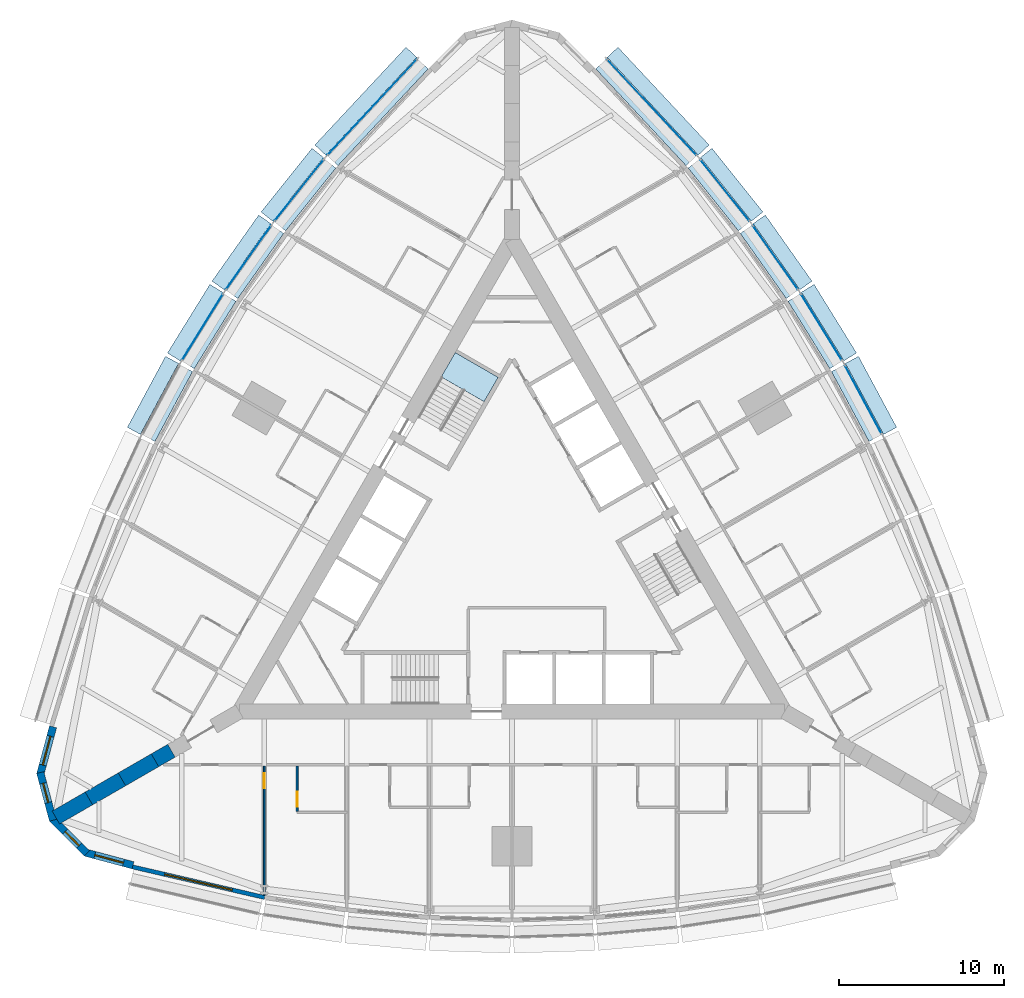
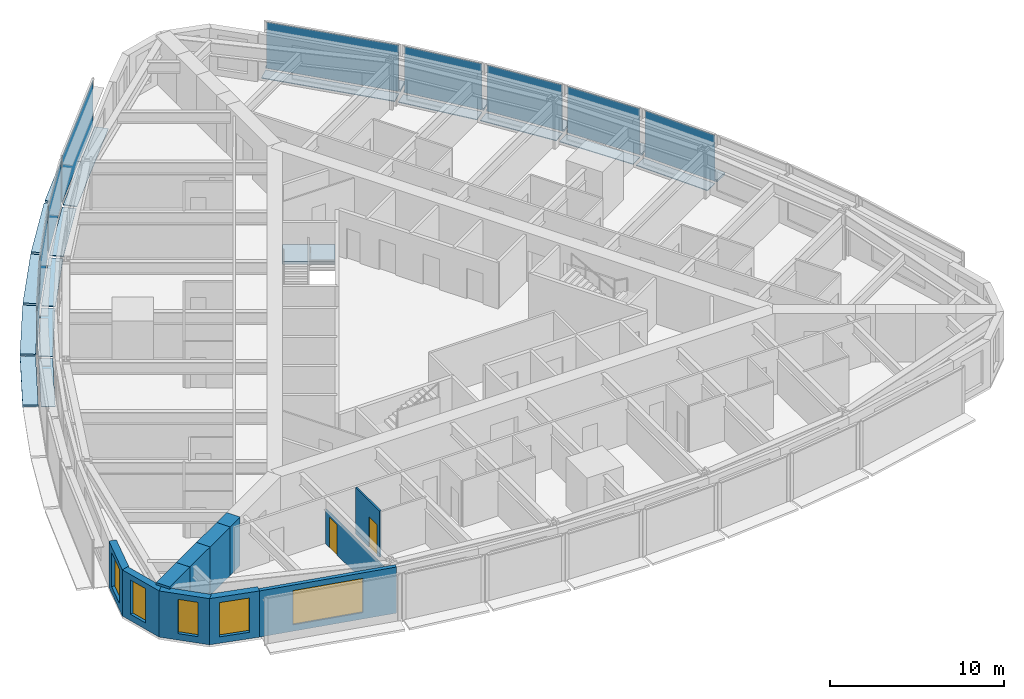
# One storey, part 7 of 14: 29 plates, 11 walls, 5 windows, 2 doors, 1 slab, 7 openings, 10 elements without a shape of their own.
"""IFC4 building model written with IfcOpenShell, lengths in metres."""

from ifc_helpers import new_model, si_unit, direction, frame, frame_2d, origin, origin_2d, place, context, subcontext, project, spatial, polyline, rectangle, outline, extrude, material, layer, layer_set, type_object, element, fill, aggregate, save


model = new_model("IFC4")

# Units and contexts
model_context = context("Model", 3, precision=1e-05, world=origin(), true_north=direction((0.0, 1.0)))
body_context = subcontext(model_context, "Body", "Model", "MODEL_VIEW")
ifc_project = project(units=[si_unit("LENGTHUNIT", "METRE"), si_unit("AREAUNIT", "SQUARE_METRE"), si_unit("VOLUMEUNIT", "CUBIC_METRE"), si_unit("PLANEANGLEUNIT", "RADIAN"), si_unit("MASSUNIT", "GRAM", prefix="KILO")], contexts=[model_context])

# Site, building, storey
site_placement = place(None, origin())
site = spatial("IfcSite", under=ifc_project, at=site_placement, CompositionType="ELEMENT")
building_placement = place(site_placement, origin())
building = spatial("IfcBuilding", under=site, at=building_placement, Name="Trikona Tower", CompositionType="ELEMENT")
storey_placement = place(building_placement, frame((0.0, 0.0, 28.5)))
storey = spatial("IfcBuildingStorey", under=building, at=storey_placement, Name="L05", CompositionType="ELEMENT", Elevation=28.5)

# Plates
ifc_material_1 = material(Name="Aluminium bar grating", Category="aluminium")
ifc_layer_1 = layer(ifc_material_1, 0.050048828125)
ifc_layer_set_1 = layer_set([ifc_layer_1], Name="Cavity catwalk grating")
plate_type_1 = type_object("IfcPlateType", Name="Cavity catwalk grating", PredefinedType="USERDEFINED", material=ifc_layer_set_1)
for number, where, z_axis, x_axis, name in (
    (1, (20.833740234375, 9.127197265625, -0.0498046875), (0.0, 0.0, 1.0), (-0.473422672721, 0.880835383572, 0.0), "Cavity catwalk L05-15"),
    (2, (18.3212890625, 13.47900390625, -0.0498046875), (0.0, 0.0, 1.0), (-0.526118935114, 0.85041099835, 0.0), "Cavity catwalk L05-16"),
):
    element("IfcPlate", number, at=place(storey_placement, frame(where, z_axis=z_axis, x_axis=x_axis)), inside=storey, type_object=plate_type_1, Name=name, ObjectType="CATWALK GRATING", PredefinedType="USERDEFINED", context=body_context, shape_type="SweptSolid", body=[
        extrude(rectangle(XDim=4.80224609375, YDim=0.820068359375, at=origin_2d()), origin(), (0.0, 0.0, 1.0), 0.050048828125),
    ])
plate_1_placement = place(storey_placement, frame((15.544189453125, 17.677734375, -0.0498046875), z_axis=(0.0, 0.0, 1.0), x_axis=(-0.576661909499, 0.816982889743, 0.0)))
element("IfcPlate", 3, at=plate_1_placement, inside=storey, type_object=plate_type_1, Name="Cavity catwalk L05-17", ObjectType="CATWALK GRATING", PredefinedType="USERDEFINED", context=body_context, shape_type="SweptSolid", body=[
    extrude(rectangle(XDim=4.82080078125, YDim=0.820068359375, at=origin_2d()), origin(), (0.0, 0.0, 1.0), 0.050048828125),
])
plate_2_placement = place(storey_placement, frame((12.502197265625, 21.72314453125, -0.0498046875), z_axis=(0.0, 0.0, 1.0), x_axis=(-0.624603618277, 0.780941944087, 0.0)))
element("IfcPlate", 4, at=plate_2_placement, inside=storey, type_object=plate_type_1, Name="Cavity catwalk L05-18", ObjectType="CATWALK GRATING", PredefinedType="USERDEFINED", context=body_context, shape_type="SweptSolid", body=[
    extrude(rectangle(XDim=4.857666015625, YDim=0.820068359375, at=origin_2d()), origin(), (0.0, 0.0, 1.0), 0.050048828125),
])
for number, where, z_axis, x_axis, name in (
    (5, (8.10107421875, 26.72314453125, -0.0498046875), (0.0, 0.0, 1.0), (-0.682298269147, 0.731073916864, 0.0), "Cavity catwalk L05-19"),
    (6, (-8.10107421875, 26.72314453125, -0.0498046875), (0.0, 0.0, 1.0), (-0.682298269147, -0.731073916864, 0.0), "Cavity catwalk L05-24"),
):
    element("IfcPlate", number, at=place(storey_placement, frame(where, z_axis=z_axis, x_axis=x_axis)), inside=storey, type_object=plate_type_1, Name=name, ObjectType="CATWALK GRATING", PredefinedType="USERDEFINED", context=body_context, shape_type="SweptSolid", body=[
        extrude(rectangle(XDim=8.01123046875, YDim=0.820068359375, at=origin_2d()), origin(), (0.0, 0.0, 1.0), 0.050048828125),
    ])
plate_3_placement = place(storey_placement, frame((-12.502197265625, 21.72314453125, -0.0498046875), z_axis=(0.0, 0.0, 1.0), x_axis=(-0.624603618277, -0.780941944087, 0.0)))
element("IfcPlate", 7, at=plate_3_placement, inside=storey, type_object=plate_type_1, Name="Cavity catwalk L05-25", ObjectType="CATWALK GRATING", PredefinedType="USERDEFINED", context=body_context, shape_type="SweptSolid", body=[
    extrude(rectangle(XDim=4.857666015625, YDim=0.820068359375, at=origin_2d()), origin(), (0.0, 0.0, 1.0), 0.050048828125),
])
plate_4_placement = place(storey_placement, frame((-15.544189453125, 17.677734375, -0.0498046875), z_axis=(0.0, 0.0, 1.0), x_axis=(-0.576661909499, -0.816982889743, 0.0)))
element("IfcPlate", 8, at=plate_4_placement, inside=storey, type_object=plate_type_1, Name="Cavity catwalk L05-26", ObjectType="CATWALK GRATING", PredefinedType="USERDEFINED", context=body_context, shape_type="SweptSolid", body=[
    extrude(rectangle(XDim=4.82080078125, YDim=0.820068359375, at=origin_2d()), origin(), (0.0, 0.0, 1.0), 0.050048828125),
])
for number, where, z_axis, x_axis, name in (
    (9, (-18.3212890625, 13.47900390625, -0.0498046875), (0.0, 0.0, 1.0), (-0.526118935114, -0.85041099835, 0.0), "Cavity catwalk L05-27"),
    (10, (-20.833740234375, 9.127197265625, -0.0498046875), (0.0, 0.0, 1.0), (-0.473422672721, -0.880835383572, 0.0), "Cavity catwalk L05-28"),
):
    element("IfcPlate", number, at=place(storey_placement, frame(where, z_axis=z_axis, x_axis=x_axis)), inside=storey, type_object=plate_type_1, Name=name, ObjectType="CATWALK GRATING", PredefinedType="USERDEFINED", context=body_context, shape_type="SweptSolid", body=[
        extrude(rectangle(XDim=4.80224609375, YDim=0.820068359375, at=origin_2d()), origin(), (0.0, 0.0, 1.0), 0.050048828125),
    ])

# Curtain wall, plate
ifc_material_2 = material(Name="Aluminium curtain wall system", Category="aluminium")
curtain_wall_type = type_object("IfcCurtainWallType", Name="Curtain wall DS1", PredefinedType="NOTDEFINED", material=ifc_material_2)
curtain_wall_1_placement = place(storey_placement, origin())
curtain_wall_1 = element("IfcCurtainWall", 11, at=curtain_wall_1_placement, inside=storey, type_object=curtain_wall_type, Name="Curtain wall DS1 L05", PredefinedType="NOTDEFINED")
ifc_material_3 = material(Name="Laminated clear glass", Category="glass")
ifc_layer_2 = layer(ifc_material_3, 0.028076171875)
ifc_layer_set_2 = layer_set([ifc_layer_2], Name="Glass panel DS1")
plate_type_2 = type_object("IfcPlateType", Name="Glass panel DS1", PredefinedType="CURTAIN_PANEL", material=ifc_layer_set_2)
plate_5_placement = place(storey_placement, frame((21.265380859375, 9.359130859375, 0.080078125), z_axis=(0.0, 0.0, 1.0), x_axis=(-0.473408350896, 0.880843080975, 0.0)))
plate_5 = element("IfcPlate", 12, at=plate_5_placement, type_object=plate_type_2, Name="CW-DS1 panel 1.1", PredefinedType="CURTAIN_PANEL", context=body_context, shape_type="SweptSolid", body=[
    extrude(rectangle(XDim=4.72216796875, YDim=0.028076171875, at=origin_2d()), origin(), (0.0, 0.0, 1.0), 3.239990234375),
])
aggregate(curtain_wall_1, [plate_5])

curtain_wall_2_placement = place(storey_placement, origin())
curtain_wall_2 = element("IfcCurtainWall", 13, at=curtain_wall_2_placement, inside=storey, type_object=curtain_wall_type, Name="Curtain wall DS1 L05", PredefinedType="NOTDEFINED")
plate_6_placement = place(storey_placement, frame((18.738037109375, 13.73681640625, 0.080078125), z_axis=(0.0, 0.0, 1.0), x_axis=(-0.526119790842, 0.850410468941, 0.0)))
plate_6 = element("IfcPlate", 14, at=plate_6_placement, type_object=plate_type_2, Name="CW-DS1 panel 1.1", PredefinedType="CURTAIN_PANEL", context=body_context, shape_type="SweptSolid", body=[
    extrude(rectangle(XDim=4.722412109375, YDim=0.028076171875, at=origin_2d()), origin(), (0.0, 0.0, 1.0), 3.239990234375),
])
aggregate(curtain_wall_2, [plate_6])

curtain_wall_3_placement = place(storey_placement, origin())
curtain_wall_3 = element("IfcCurtainWall", 15, at=curtain_wall_3_placement, inside=storey, type_object=curtain_wall_type, Name="Curtain wall DS1 L05", PredefinedType="NOTDEFINED")
plate_7_placement = place(storey_placement, frame((15.9443359375, 17.960205078125, 0.080078125), z_axis=(0.0, 0.0, 1.0), x_axis=(-0.576658362928, 0.816985393055, 0.0)))
plate_7 = element("IfcPlate", 16, at=plate_7_placement, type_object=plate_type_2, Name="CW-DS1 panel 1.1", PredefinedType="CURTAIN_PANEL", context=body_context, shape_type="SweptSolid", body=[
    extrude(rectangle(XDim=4.74072265625, YDim=0.028076171875, at=origin_2d()), origin(), (0.0, 0.0, 1.0), 3.239990234375),
])
aggregate(curtain_wall_3, [plate_7])

curtain_wall_4_placement = place(storey_placement, origin())
curtain_wall_4 = element("IfcCurtainWall", 17, at=curtain_wall_4_placement, inside=storey, type_object=curtain_wall_type, Name="Curtain wall DS1 L05", PredefinedType="NOTDEFINED")
plate_8_placement = place(storey_placement, frame((12.884765625, 22.029296875, 0.080078125), z_axis=(0.0, 0.0, 1.0), x_axis=(-0.624608599951, 0.780937959679, 0.0)))
plate_8 = element("IfcPlate", 18, at=plate_8_placement, type_object=plate_type_2, Name="CW-DS1 panel 1.1", PredefinedType="CURTAIN_PANEL", context=body_context, shape_type="SweptSolid", body=[
    extrude(rectangle(XDim=4.777587890625, YDim=0.028076171875, at=origin_2d()), origin(), (0.0, 0.0, 1.0), 3.239990234375),
])
aggregate(curtain_wall_4, [plate_8])

curtain_wall_5_placement = place(storey_placement, origin())
curtain_wall_5 = element("IfcCurtainWall", 19, at=curtain_wall_5_placement, inside=storey, type_object=curtain_wall_type, Name="Curtain wall DS1 L05", PredefinedType="NOTDEFINED")
plate_9_placement = place(storey_placement, frame((8.459228515625, 27.057373046875, 0.080078125), z_axis=(0.0, 0.0, 1.0), x_axis=(-0.682295351967, 0.731076639405, 0.0)))
plate_9 = element("IfcPlate", 20, at=plate_9_placement, type_object=plate_type_2, Name="CW-DS1 panel 1.1", PredefinedType="CURTAIN_PANEL", context=body_context, shape_type="SweptSolid", body=[
    extrude(rectangle(XDim=7.93115234375, YDim=0.028076171875, at=origin_2d()), origin(), (0.0, 0.0, 1.0), 3.239990234375),
])
aggregate(curtain_wall_5, [plate_9])

curtain_wall_6_placement = place(storey_placement, origin())
curtain_wall_6 = element("IfcCurtainWall", 21, at=curtain_wall_6_placement, inside=storey, type_object=curtain_wall_type, Name="Curtain wall DS1 L05", PredefinedType="NOTDEFINED")
plate_10_placement = place(storey_placement, frame((-8.459228515625, 27.057373046875, 0.080078125), z_axis=(0.0, 0.0, 1.0), x_axis=(-0.682295351967, -0.731076639405, 0.0)))
plate_10 = element("IfcPlate", 22, at=plate_10_placement, type_object=plate_type_2, Name="CW-DS1 panel 1.1", PredefinedType="CURTAIN_PANEL", context=body_context, shape_type="SweptSolid", body=[
    extrude(rectangle(XDim=7.93115234375, YDim=0.028076171875, at=origin_2d()), origin(), (0.0, 0.0, 1.0), 3.239990234375),
])
aggregate(curtain_wall_6, [plate_10])

curtain_wall_7_placement = place(storey_placement, origin())
curtain_wall_7 = element("IfcCurtainWall", 23, at=curtain_wall_7_placement, inside=storey, type_object=curtain_wall_type, Name="Curtain wall DS1 L05", PredefinedType="NOTDEFINED")
plate_11_placement = place(storey_placement, frame((-12.884765625, 22.029296875, 0.080078125), z_axis=(0.0, 0.0, 1.0), x_axis=(-0.624608599951, -0.780937959679, 0.0)))
plate_11 = element("IfcPlate", 24, at=plate_11_placement, type_object=plate_type_2, Name="CW-DS1 panel 1.1", PredefinedType="CURTAIN_PANEL", context=body_context, shape_type="SweptSolid", body=[
    extrude(rectangle(XDim=4.777587890625, YDim=0.028076171875, at=origin_2d()), origin(), (0.0, 0.0, 1.0), 3.239990234375),
])
aggregate(curtain_wall_7, [plate_11])

curtain_wall_8_placement = place(storey_placement, origin())
curtain_wall_8 = element("IfcCurtainWall", 25, at=curtain_wall_8_placement, inside=storey, type_object=curtain_wall_type, Name="Curtain wall DS1 L05", PredefinedType="NOTDEFINED")
plate_12_placement = place(storey_placement, frame((-15.9443359375, 17.960205078125, 0.080078125), z_axis=(0.0, 0.0, 1.0), x_axis=(-0.576658362928, -0.816985393055, 0.0)))
plate_12 = element("IfcPlate", 26, at=plate_12_placement, type_object=plate_type_2, Name="CW-DS1 panel 1.1", PredefinedType="CURTAIN_PANEL", context=body_context, shape_type="SweptSolid", body=[
    extrude(rectangle(XDim=4.74072265625, YDim=0.028076171875, at=origin_2d()), origin(), (0.0, 0.0, 1.0), 3.239990234375),
])
aggregate(curtain_wall_8, [plate_12])

curtain_wall_9_placement = place(storey_placement, origin())
curtain_wall_9 = element("IfcCurtainWall", 27, at=curtain_wall_9_placement, inside=storey, type_object=curtain_wall_type, Name="Curtain wall DS1 L05", PredefinedType="NOTDEFINED")
plate_13_placement = place(storey_placement, frame((-18.738037109375, 13.73681640625, 0.080078125), z_axis=(0.0, 0.0, 1.0), x_axis=(-0.526119790842, -0.850410468941, 0.0)))
plate_13 = element("IfcPlate", 28, at=plate_13_placement, type_object=plate_type_2, Name="CW-DS1 panel 1.1", PredefinedType="CURTAIN_PANEL", context=body_context, shape_type="SweptSolid", body=[
    extrude(rectangle(XDim=4.722412109375, YDim=0.028076171875, at=origin_2d()), origin(), (0.0, 0.0, 1.0), 3.239990234375),
])
aggregate(curtain_wall_9, [plate_13])

# Plates
ifc_material_4 = material(Name="Aluminium plate fin, pale anodised, on stainless steel outriggers", Category="steel")
ifc_layer_3 = layer(ifc_material_4, 0.14990234375)
ifc_layer_set_3 = layer_set([ifc_layer_3], Name="Outer skin fin 900")
plate_type_3 = type_object("IfcPlateType", Name="Outer skin fin 900", PredefinedType="USERDEFINED", material=ifc_layer_set_3)
for number, where, z_axis, x_axis, name in (
    (29, (21.732421875, 9.610107421875, 0.0), (0.0, 0.0, 1.0), (-0.473422672721, 0.880835383572, 0.0), "Outer skin fin L05-15"),
    (30, (19.188720703125, 14.015625, 0.0), (0.0, 0.0, 1.0), (-0.526118935114, 0.85041099835, 0.0), "Outer skin fin L05-16"),
):
    element("IfcPlate", number, at=place(storey_placement, frame(where, z_axis=z_axis, x_axis=x_axis)), inside=storey, type_object=plate_type_3, Name=name, ObjectType="FIN", PredefinedType="USERDEFINED", context=body_context, shape_type="SweptSolid", body=[
        extrude(rectangle(XDim=4.88232421875, YDim=0.89990234375, at=origin_2d()), origin(), (0.0, 0.0, 1.0), 0.14990234375),
    ])
plate_14_placement = place(storey_placement, frame((16.37744140625, 18.265869140625, 0.0), z_axis=(0.0, 0.0, 1.0), x_axis=(-0.576661909499, 0.816982889743, 0.0)))
element("IfcPlate", 31, at=plate_14_placement, inside=storey, type_object=plate_type_3, Name="Outer skin fin L05-17", ObjectType="FIN", PredefinedType="USERDEFINED", context=body_context, shape_type="SweptSolid", body=[
    extrude(rectangle(XDim=4.90087890625, YDim=0.89990234375, at=origin_2d()), origin(), (0.0, 0.0, 1.0), 0.14990234375),
])
plate_15_placement = place(storey_placement, frame((13.298583984375, 22.360107421875, 0.0), z_axis=(0.0, 0.0, 1.0), x_axis=(-0.624603618277, 0.780941944087, 0.0)))
element("IfcPlate", 32, at=plate_15_placement, inside=storey, type_object=plate_type_3, Name="Outer skin fin L05-18", ObjectType="FIN", PredefinedType="USERDEFINED", context=body_context, shape_type="SweptSolid", body=[
    extrude(rectangle(XDim=4.9375, YDim=0.89990234375, at=origin_2d()), origin(), (0.0, 0.0, 1.0), 0.14990234375),
])
for number, where, z_axis, x_axis, name in (
    (33, (8.8466796875, 27.419189453125, 0.0), (0.0, 0.0, 1.0), (-0.682298269147, 0.731073916864, 0.0), "Outer skin fin L05-19"),
    (34, (-8.8466796875, 27.419189453125, 0.0), (0.0, 0.0, 1.0), (-0.682298269147, -0.731073916864, 0.0), "Outer skin fin L05-24"),
):
    element("IfcPlate", number, at=place(storey_placement, frame(where, z_axis=z_axis, x_axis=x_axis)), inside=storey, type_object=plate_type_3, Name=name, ObjectType="FIN", PredefinedType="USERDEFINED", context=body_context, shape_type="SweptSolid", body=[
        extrude(rectangle(XDim=8.09130859375, YDim=0.89990234375, at=origin_2d()), origin(), (0.0, 0.0, 1.0), 0.14990234375),
    ])
plate_16_placement = place(storey_placement, frame((-13.298583984375, 22.360107421875, 0.0), z_axis=(0.0, 0.0, 1.0), x_axis=(-0.624603618277, -0.780941944087, 0.0)))
element("IfcPlate", 35, at=plate_16_placement, inside=storey, type_object=plate_type_3, Name="Outer skin fin L05-25", ObjectType="FIN", PredefinedType="USERDEFINED", context=body_context, shape_type="SweptSolid", body=[
    extrude(rectangle(XDim=4.9375, YDim=0.89990234375, at=origin_2d()), origin(), (0.0, 0.0, 1.0), 0.14990234375),
])
plate_17_placement = place(storey_placement, frame((-16.37744140625, 18.265869140625, 0.0), z_axis=(0.0, 0.0, 1.0), x_axis=(-0.576661909499, -0.816982889743, 0.0)))
element("IfcPlate", 36, at=plate_17_placement, inside=storey, type_object=plate_type_3, Name="Outer skin fin L05-26", ObjectType="FIN", PredefinedType="USERDEFINED", context=body_context, shape_type="SweptSolid", body=[
    extrude(rectangle(XDim=4.90087890625, YDim=0.89990234375, at=origin_2d()), origin(), (0.0, 0.0, 1.0), 0.14990234375),
])
for number, where, z_axis, x_axis, name in (
    (37, (-19.188720703125, 14.015625, 0.0), (0.0, 0.0, 1.0), (-0.526118935114, -0.85041099835, 0.0), "Outer skin fin L05-27"),
    (38, (-21.732421875, 9.610107421875, 0.0), (0.0, 0.0, 1.0), (-0.473422672721, -0.880835383572, 0.0), "Outer skin fin L05-28"),
):
    element("IfcPlate", number, at=place(storey_placement, frame(where, z_axis=z_axis, x_axis=x_axis)), inside=storey, type_object=plate_type_3, Name=name, ObjectType="FIN", PredefinedType="USERDEFINED", context=body_context, shape_type="SweptSolid", body=[
        extrude(rectangle(XDim=4.88232421875, YDim=0.89990234375, at=origin_2d()), origin(), (0.0, 0.0, 1.0), 0.14990234375),
    ])

# Stair, slab
ifc_material_5 = material(Name="Concrete f'c 5000 psi", Category="concrete")
stair_type = type_object("IfcStairType", Name="Core stair", PredefinedType="HALF_TURN_STAIR", material=ifc_material_5)
stair_placement = place(storey_placement, origin())
stair = element("IfcStair", 39, at=stair_placement, inside=storey, type_object=stair_type, Name="Stair C L05", PredefinedType="HALF_TURN_STAIR")
ifc_material_6 = material(Name="Concrete f'c 5000 psi", Category="concrete")
ifc_layer_4 = layer(ifc_material_6, 0.199951171875)
ifc_layer_set_4 = layer_set([ifc_layer_4], Name="Stair landing 200")
slab_type = type_object("IfcSlabType", Name="Stair landing 200", PredefinedType="LANDING", material=ifc_layer_set_4)
slab_placement = place(storey_placement, frame((0.0, 0.0, 1.5)))
slab = element("IfcSlab", 40, at=slab_placement, type_object=slab_type, Name="ST-C landing 2", PredefinedType="LANDING", context=body_context, shape_type="SweptSolid", body=[
    extrude(outline(polyline([(-0.837158203125, 10.702392578125), (-1.688720703125, 9.2275390625), (-4.286865234375, 10.7275390625), (-3.435302734375, 12.202392578125), (-0.837158203125, 10.702392578125)])), origin(), (0.0, 0.0, 1.0), 0.199951171875),
])
aggregate(stair, [slab])

# Wall, opening, door
ifc_material_7 = material(Name="Metal stud and cement board", Category="gypsum")
ifc_layer_5 = layer(ifc_material_7, 0.1201171875)
ifc_layer_set_5 = layer_set([ifc_layer_5], Name="Bathroom wall 120")
wall_type_1 = type_object("IfcWallType", Name="Bathroom wall 120", PredefinedType="PLUMBINGWALL", material=ifc_layer_set_5)
wall_1_placement = place(storey_placement, frame((-13.0, -12.826416015625, 0.0), z_axis=(0.0, 0.0, 1.0), x_axis=(0.0, -1.0, 0.0)))
wall_1 = element("IfcWall", 41, at=wall_1_placement, inside=storey, type_object=wall_type_1, Name="Bathroom wall 0501.1", PredefinedType="PLUMBINGWALL", context=body_context, shape_type="SweptSolid", body=[
    extrude(rectangle(XDim=2.739990234375, YDim=0.1201171875, at=frame_2d((1.3701171875, 0.0))), origin(), (0.0, 0.0, 1.0), 3.235107421875),
])
opening_1_placement = place(wall_1_placement, frame((1.550048828125, 0.0, 0.0)))
opening_1 = element("IfcOpeningElement", 42, at=opening_1_placement, cuts=wall_1, Name="Opening D2", PredefinedType="OPENING", context=body_context, shape_type="SweptSolid", body=[
    extrude(rectangle(XDim=0.89990234375, YDim=2.1298828125, at=frame_2d((0.449951171875, 1.06494140625))), frame((0.0, 0.070068359375, 0.0), z_axis=(0.0, -1.0, 0.0), x_axis=(1.0, 0.0, 0.0)), (0.0, 0.0, 1.0), 0.14013671875),
])
ifc_material_8 = material(Name="Steel door frame with solid-core timber leaf", Category="steel")
door_type_1 = type_object("IfcDoorType", Name="Bathroom door 900x2130", OperationType="SLIDING_TO_LEFT", PredefinedType="DOOR", material=ifc_material_8)
door_1_placement = place(opening_1_placement, origin())
door_1 = element("IfcDoor", 43, at=door_1_placement, inside=storey, type_object=door_type_1, Name="Bathroom door 0501.1", OperationType="SLIDING_TO_LEFT", OverallHeight=2.1298828125, OverallWidth=0.89990234375, PredefinedType="DOOR", context=body_context, shape_type="SweptSolid", body=[
    extrude(rectangle(XDim=0.89990234375, YDim=2.1298828125, at=frame_2d((0.449951171875, 1.06494140625))), frame((0.0, 0.02490234375, 0.0), z_axis=(0.0, -1.0, 0.0), x_axis=(1.0, 0.0, 0.0)), (0.0, 0.0, 1.0), 0.050048828125),
])
fill(opening_1, door_1)

# Wall, opening, window
ifc_material_9 = material(Name="Brick-faced precast concrete", Category="masonry")
ifc_layer_6 = layer(ifc_material_9, 0.449951171875)
ifc_layer_set_6 = layer_set([ifc_layer_6], Name="Brick-faced corner wall 450")
wall_type_2 = type_object("IfcWallType", Name="Brick-faced corner wall 450", PredefinedType="SOLIDWALL", material=ifc_layer_set_6)
wall_2_placement = place(storey_placement, frame((-27.78271484375, -10.450439453125, 0.0), z_axis=(0.0, 0.0, 1.0), x_axis=(-0.258780998834, -0.965936019953, 0.0)))
wall_2 = element("IfcWall", 44, at=wall_2_placement, inside=storey, type_object=wall_type_2, Name="External wall L05-32", PredefinedType="SOLIDWALL", context=body_context, shape_type="SweptSolid", body=[
    extrude(rectangle(XDim=2.98876953125, YDim=0.449951171875, at=frame_2d((1.494384765625, 0.0))), origin(), (0.0, 0.0, 1.0), 3.235107421875),
])
opening_2_placement = place(wall_2_placement, frame((0.59423828125, 0.0, 0.449951171875)))
opening_2 = element("IfcOpeningElement", 45, at=opening_2_placement, cuts=wall_2, Name="Opening W1824", PredefinedType="OPENING", context=body_context, shape_type="SweptSolid", body=[
    extrude(rectangle(XDim=1.800048828125, YDim=2.39990234375, at=frame_2d((0.89990234375, 1.199951171875))), frame((0.0, 0.23486328125, 0.0), z_axis=(0.0, -1.0, 0.0), x_axis=(1.0, 0.0, 0.0)), (0.0, 0.0, 1.0), 0.469970703125),
])
ifc_material_10 = material(Name="Aluminium-framed double glazing", Category="aluminium")
window_type_1 = type_object("IfcWindowType", Name="Window 1800x2400", PartitioningType="SINGLE_PANEL", PredefinedType="WINDOW", material=ifc_material_10)
window_1_placement = place(opening_2_placement, origin())
window_1 = element("IfcWindow", 46, at=window_1_placement, inside=storey, type_object=window_type_1, Name="Window 0518", OverallHeight=2.39990234375, OverallWidth=1.800048828125, PartitioningType="SINGLE_PANEL", PredefinedType="WINDOW", context=body_context, shape_type="SweptSolid", body=[
    extrude(rectangle(XDim=1.800048828125, YDim=2.39990234375, at=frame_2d((0.89990234375, 1.199951171875))), frame((0.0, 0.030029296875, 0.0), z_axis=(0.0, -1.0, 0.0), x_axis=(1.0, 0.0, 0.0)), (0.0, 0.0, 1.0), 0.06005859375),
])
fill(opening_2, window_1)

wall_3_placement = place(storey_placement, frame((-28.55615234375, -13.220947265625, 0.0), z_axis=(0.0, 0.0, 1.0), x_axis=(0.258801419081, -0.965930548995, 0.0)))
wall_3 = element("IfcWall", 47, at=wall_3_placement, inside=storey, type_object=wall_type_2, Name="External wall L05-33", PredefinedType="SOLIDWALL", context=body_context, shape_type="SweptSolid", body=[
    extrude(outline(polyline([(2.988525390625, 0.22509765625), (2.928955078125, 0.22509765625), (2.437255859375, 0.09326171875), (2.402099609375, 0.22509765625), (0.0, 0.22509765625), (0.0, -0.22509765625), (2.988525390625, -0.22509765625), (2.988525390625, 0.22509765625)])), origin(), (0.0, 0.0, 1.0), 3.235107421875),
])
opening_3_placement = place(wall_3_placement, frame((0.676025390625, 0.0, 0.449951171875)))
opening_3 = element("IfcOpeningElement", 48, at=opening_3_placement, cuts=wall_3, Name="Opening W1224", PredefinedType="OPENING", context=body_context, shape_type="SweptSolid", body=[
    extrude(rectangle(XDim=1.199951171875, YDim=2.39990234375, at=frame_2d((0.60009765625, 1.199951171875))), frame((0.0, 0.23486328125, 0.0), z_axis=(0.0, -1.0, 0.0), x_axis=(1.0, 0.0, 0.0)), (0.0, 0.0, 1.0), 0.469970703125),
])
ifc_material_11 = material(Name="Aluminium-framed double glazing", Category="aluminium")
window_type_2 = type_object("IfcWindowType", Name="Window 1200x2400", PartitioningType="SINGLE_PANEL", PredefinedType="WINDOW", material=ifc_material_11)
window_2_placement = place(opening_3_placement, origin())
window_2 = element("IfcWindow", 49, at=window_2_placement, inside=storey, type_object=window_type_2, Name="Window 0518", OverallHeight=2.39990234375, OverallWidth=1.199951171875, PartitioningType="SINGLE_PANEL", PredefinedType="WINDOW", context=body_context, shape_type="SweptSolid", body=[
    extrude(rectangle(XDim=1.199951171875, YDim=2.39990234375, at=frame_2d((0.60009765625, 1.199951171875))), frame((0.0, 0.030029296875, 0.0), z_axis=(0.0, -1.0, 0.0), x_axis=(1.0, 0.0, 0.0)), (0.0, 0.0, 1.0), 0.06005859375),
])
fill(opening_3, window_2)

wall_4_placement = place(storey_placement, frame((-27.8408203125, -16.006591796875, 0.0), z_axis=(0.0, 0.0, 1.0), x_axis=(0.707025086683, -0.707188466253, 0.0)))
wall_4 = element("IfcWall", 50, at=wall_4_placement, inside=storey, type_object=wall_type_2, Name="External wall L05-34", PredefinedType="SOLIDWALL", context=body_context, shape_type="SweptSolid", body=[
    extrude(outline(polyline([(2.988525390625, 0.22509765625), (0.58642578125, 0.22509765625), (0.551025390625, 0.093017578125), (0.058837890625, 0.22509765625), (0.0, 0.22509765625), (0.0, -0.22509765625), (2.988525390625, -0.22509765625), (2.988525390625, 0.22509765625)])), origin(), (0.0, 0.0, 1.0), 3.235107421875),
])
opening_4_placement = place(wall_4_placement, frame((1.112548828125, 0.0, 0.449951171875)))
opening_4 = element("IfcOpeningElement", 51, at=opening_4_placement, cuts=wall_4, Name="Opening W1224", PredefinedType="OPENING", context=body_context, shape_type="SweptSolid", body=[
    extrude(rectangle(XDim=1.199951171875, YDim=2.39990234375, at=frame_2d((0.60009765625, 1.199951171875))), frame((0.0, 0.23486328125, 0.0), z_axis=(0.0, -1.0, 0.0), x_axis=(1.0, 0.0, 0.0)), (0.0, 0.0, 1.0), 0.469970703125),
])
window_3_placement = place(opening_4_placement, origin())
window_3 = element("IfcWindow", 52, at=window_3_placement, inside=storey, type_object=window_type_2, Name="Window 0501", OverallHeight=2.39990234375, OverallWidth=1.199951171875, PartitioningType="SINGLE_PANEL", PredefinedType="WINDOW", context=body_context, shape_type="SweptSolid", body=[
    extrude(rectangle(XDim=1.199951171875, YDim=2.39990234375, at=frame_2d((0.60009765625, 1.199951171875))), frame((0.0, 0.030029296875, 0.0), z_axis=(0.0, -1.0, 0.0), x_axis=(1.0, 0.0, 0.0)), (0.0, 0.0, 1.0), 0.06005859375),
])
fill(opening_4, window_3)

wall_5_placement = place(storey_placement, frame((-25.82861328125, -18.061767578125, 0.0), z_axis=(0.0, 0.0, 1.0), x_axis=(0.965930548995, -0.258801419081, 0.0)))
wall_5 = element("IfcWall", 53, at=wall_5_placement, inside=storey, type_object=wall_type_2, Name="External wall L05-35", PredefinedType="SOLIDWALL", context=body_context, shape_type="SweptSolid", body=[
    extrude(rectangle(XDim=2.988525390625, YDim=0.449951171875, at=frame_2d((1.494140625, 0.0))), origin(), (0.0, 0.0, 1.0), 3.235107421875),
])
opening_5_placement = place(wall_5_placement, frame((0.59423828125, 0.0, 0.449951171875)))
opening_5 = element("IfcOpeningElement", 54, at=opening_5_placement, cuts=wall_5, Name="Opening W1824", PredefinedType="OPENING", context=body_context, shape_type="SweptSolid", body=[
    extrude(rectangle(XDim=1.800048828125, YDim=2.39990234375, at=frame_2d((0.89990234375, 1.199951171875))), frame((0.0, 0.23486328125, 0.0), z_axis=(0.0, -1.0, 0.0), x_axis=(1.0, 0.0, 0.0)), (0.0, 0.0, 1.0), 0.469970703125),
])
window_4_placement = place(opening_5_placement, origin())
window_4 = element("IfcWindow", 55, at=window_4_placement, inside=storey, type_object=window_type_1, Name="Window 0501", OverallHeight=2.39990234375, OverallWidth=1.800048828125, PartitioningType="SINGLE_PANEL", PredefinedType="WINDOW", context=body_context, shape_type="SweptSolid", body=[
    extrude(rectangle(XDim=1.800048828125, YDim=2.39990234375, at=frame_2d((0.89990234375, 1.199951171875))), frame((0.0, 0.030029296875, 0.0), z_axis=(0.0, -1.0, 0.0), x_axis=(1.0, 0.0, 0.0)), (0.0, 0.0, 1.0), 0.06005859375),
])
fill(opening_5, window_4)

# Walls
ifc_material_12 = material(Name="Concrete f'c 10000 psi", Category="concrete")
ifc_layer_7 = layer(ifc_material_12, 0.89990234375)
ifc_layer_set_7 = layer_set([ifc_layer_7], Name="Buttress wall 900")
wall_type_3 = type_object("IfcWallType", Name="Buttress wall 900", PredefinedType="SHEAR", material=ifc_layer_set_7)
wall_6_placement = place(storey_placement, frame((-20.6103515625, -11.8994140625, 0.0), z_axis=(0.0, 0.0, 1.0), x_axis=(-0.866009537788, -0.500027479704, 0.0)))
element("IfcWall", 56, at=wall_6_placement, inside=storey, type_object=wall_type_3, Name="Buttress wall 3 part 2", PredefinedType="SHEAR", context=body_context, shape_type="SweptSolid", body=[
    extrude(rectangle(XDim=1.15478515625, YDim=0.89990234375, at=frame_2d((0.577392578125, 0.0))), origin(), (0.0, 0.0, 1.0), 3.39990234375),
])
for number, where, z_axis, x_axis, name in (
    (57, (-21.6103515625, -12.476806640625, 0.0), (0.0, 0.0, 1.0), (-0.866055313784, -0.499948190782, 0.0), "Buttress wall 3 part 3"),
    (58, (-23.6103515625, -13.63134765625, 0.0), (0.0, 0.0, 1.0), (-0.866009537788, -0.500027479704, 0.0), "Buttress wall 3 part 4"),
    (59, (-25.6103515625, -14.7861328125, 0.0), (0.0, 0.0, 1.0), (-0.866009537788, -0.500027479704, 0.0), "Buttress wall 3 part 5"),
):
    element("IfcWall", number, at=place(storey_placement, frame(where, z_axis=z_axis, x_axis=x_axis)), inside=storey, type_object=wall_type_3, Name=name, PredefinedType="SHEAR", context=body_context, shape_type="SweptSolid", body=[
        extrude(rectangle(XDim=2.309326171875, YDim=0.89990234375, at=frame_2d((1.15478515625, 0.0))), origin(), (0.0, 0.0, 1.0), 3.39990234375),
    ])

# Wall, opening, window
ifc_material_13 = material(Name="Insulated precast concrete spandrel panel", Category="concrete")
ifc_layer_8 = layer(ifc_material_13, 0.25)
ifc_layer_set_8 = layer_set([ifc_layer_8], Name="Inner skin wall 250")
wall_type_4 = type_object("IfcWallType", Name="Inner skin wall 250", PredefinedType="STANDARD", material=ifc_layer_set_8)
wall_7_placement = place(storey_placement, frame((-22.9716796875, -18.930908203125, 0.0), z_axis=(0.0, 0.0, 1.0), x_axis=(0.974279327392, -0.225343720163, 0.0)))
wall_7 = element("IfcWall", 60, at=wall_7_placement, inside=storey, type_object=wall_type_4, Name="External wall L05-00", PredefinedType="STANDARD", context=body_context, shape_type="SweptSolid", body=[
    extrude(rectangle(XDim=8.211181640625, YDim=0.25, at=frame_2d((4.10546875, 0.0))), origin(), (0.0, 0.0, 1.0), 3.235107421875),
])
opening_6_placement = place(wall_7_placement, frame((2.005615234375, 0.0, 0.449951171875)))
opening_6 = element("IfcOpeningElement", 61, at=opening_6_placement, cuts=wall_7, Name="Opening W4224", PredefinedType="OPENING", context=body_context, shape_type="SweptSolid", body=[
    extrude(rectangle(XDim=4.199951171875, YDim=2.39990234375, at=frame_2d((2.10009765625, 1.199951171875))), frame((0.0, 0.135009765625, 0.0), z_axis=(0.0, -1.0, 0.0), x_axis=(1.0, 0.0, 0.0)), (0.0, 0.0, 1.0), 0.27001953125),
])
ifc_material_14 = material(Name="Aluminium-framed double glazing", Category="aluminium")
window_type_3 = type_object("IfcWindowType", Name="Window 4200x2400", PartitioningType="SINGLE_PANEL", PredefinedType="WINDOW", material=ifc_material_14)
window_5_placement = place(opening_6_placement, origin())
window_5 = element("IfcWindow", 62, at=window_5_placement, inside=storey, type_object=window_type_3, Name="Window 0501", OverallHeight=2.39990234375, OverallWidth=4.199951171875, PartitioningType="SINGLE_PANEL", PredefinedType="WINDOW", context=body_context, shape_type="SweptSolid", body=[
    extrude(rectangle(XDim=4.199951171875, YDim=2.39990234375, at=frame_2d((2.10009765625, 1.199951171875))), frame((0.0, 0.030029296875, 0.0), z_axis=(0.0, -1.0, 0.0), x_axis=(1.0, 0.0, 0.0)), (0.0, 0.0, 1.0), 0.06005859375),
])
fill(opening_6, window_5)

# Wall, opening, door
ifc_material_15 = material(Name="Metal stud and gypsum board, acoustic", Category="gypsum")
ifc_layer_9 = layer(ifc_material_15, 0.10009765625)
ifc_layer_set_9 = layer_set([ifc_layer_9], Name="Suite partition 100")
wall_type_5 = type_object("IfcWallType", Name="Suite partition 100", PredefinedType="PARTITIONING", material=ifc_layer_set_9)
wall_8_placement = place(storey_placement, frame((-15.0, -12.826416015625, 0.0), z_axis=(0.0, 0.0, 1.0), x_axis=(0.0, -1.0, 0.0)))
wall_8 = element("IfcWall", 63, at=wall_8_placement, inside=storey, type_object=wall_type_5, Name="Suite partition L05 F1 u-15", PredefinedType="PARTITIONING", context=body_context, shape_type="SweptSolid", body=[
    extrude(rectangle(XDim=7.820068359375, YDim=0.10009765625, at=frame_2d((3.91015625, 0.0))), origin(), (0.0, 0.0, 1.0), 2.38916015625),
])
opening_7_placement = place(wall_8_placement, frame((0.449951171875, 0.0, 0.0)))
opening_7 = element("IfcOpeningElement", 64, at=opening_7_placement, cuts=wall_8, Name="Opening D13", PredefinedType="OPENING", context=body_context, shape_type="SweptSolid", body=[
    extrude(rectangle(XDim=0.89990234375, YDim=2.1298828125, at=frame_2d((0.449951171875, 1.06494140625))), frame((0.0, 0.06005859375, 0.0), z_axis=(0.0, -1.0, 0.0), x_axis=(1.0, 0.0, 0.0)), (0.0, 0.0, 1.0), 0.1201171875),
])
ifc_material_16 = material(Name="Steel door frame with solid-core timber leaf", Category="steel")
door_type_2 = type_object("IfcDoorType", Name="Suite door 900x2130", OperationType="SINGLE_SWING_LEFT", PredefinedType="DOOR", material=ifc_material_16)
door_2_placement = place(opening_7_placement, origin())
door_2 = element("IfcDoor", 65, at=door_2_placement, inside=storey, type_object=door_type_2, Name="Suite door 0501", OperationType="SINGLE_SWING_LEFT", OverallHeight=2.1298828125, OverallWidth=0.89990234375, PredefinedType="DOOR", context=body_context, shape_type="SweptSolid", body=[
    extrude(rectangle(XDim=0.89990234375, YDim=2.1298828125, at=frame_2d((0.449951171875, 1.06494140625))), frame((0.0, 0.02490234375, 0.0), z_axis=(0.0, -1.0, 0.0), x_axis=(1.0, 0.0, 0.0)), (0.0, 0.0, 1.0), 0.050048828125),
])
fill(opening_7, door_2)

save(model, "model.ifc")
